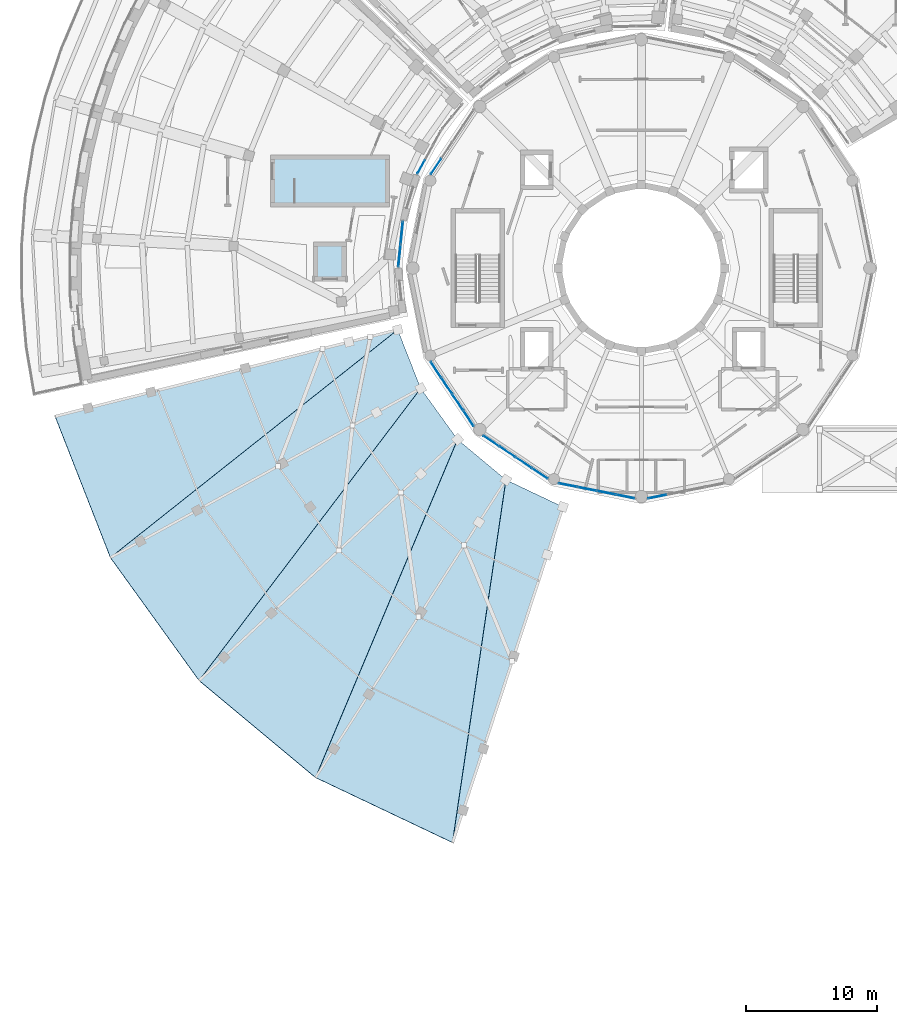
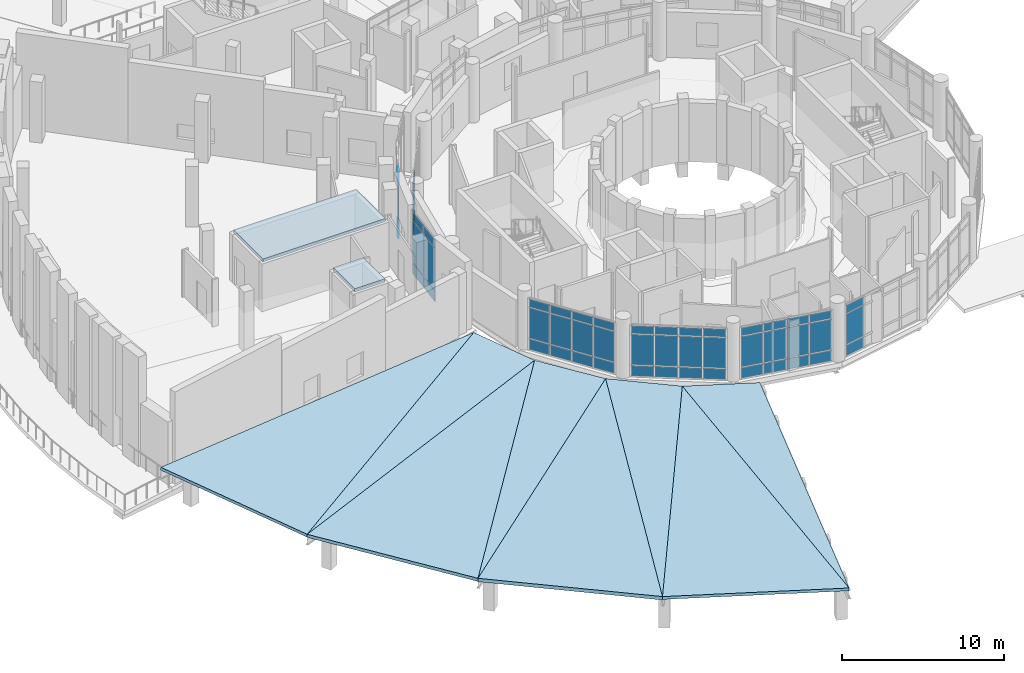
# One storey, part 36 of 75: 51 plates, 10 slabs, 7 elements without a shape of their own.
"""IFC4 building model written with IfcOpenShell, lengths in metres."""

from ifc_helpers import new_model, si_unit, direction, frame, origin, origin_2d, place, context, subcontext, project, spatial, polyline, rectangle, outline, extrude, material, layer, layer_set, type_object, element, aggregate, save


model = new_model("IFC4")

# Units and contexts
model_context = context("Model", 3, precision=1e-05, world=origin(), true_north=direction((0.0, 1.0)))
body_context = subcontext(model_context, "Body", "Model", "MODEL_VIEW")
ifc_project = project(units=[si_unit("LENGTHUNIT", "METRE"), si_unit("AREAUNIT", "SQUARE_METRE"), si_unit("VOLUMEUNIT", "CUBIC_METRE"), si_unit("PLANEANGLEUNIT", "RADIAN"), si_unit("MASSUNIT", "GRAM", prefix="KILO")], contexts=[model_context])

# Site, building, storey
site_placement = place(None, origin())
site = spatial("IfcSite", under=ifc_project, at=site_placement, CompositionType="ELEMENT")
building_placement = place(site_placement, origin())
building = spatial("IfcBuilding", under=site, at=building_placement, Name="Soyqirgoq Riverine Aquarium", CompositionType="ELEMENT")
storey_placement = place(building_placement, frame((0.0, 0.0, 10.199951171875)))
storey = spatial("IfcBuildingStorey", under=building, at=storey_placement, Name="L03", CompositionType="ELEMENT", Elevation=10.199951171875)

# Curtain wall, plates
ifc_material_1 = material(Name="Anodised aluminium thermally broken triple low-E glazing", Category="aluminium")
curtain_wall_type_1 = type_object("IfcCurtainWallType", Name="CW_DrumGallery_Unitised", PredefinedType="NOTDEFINED", material=ifc_material_1)
curtain_wall_1_placement = place(storey_placement, origin())
curtain_wall_1 = element("IfcCurtainWall", 1, at=curtain_wall_1_placement, inside=storey, type_object=curtain_wall_type_1, Name="V1 L03 Curtain Wall 025", PredefinedType="NOTDEFINED")
ifc_material_2 = material(Name="Triple insulated laminated low-E glass", Category="glass")
ifc_layer_1 = layer(ifc_material_2, 0.0458984375)
ifc_layer_set_1 = layer_set([ifc_layer_1], Name="Triple insulated laminated low-E glass")
plate_type_1 = type_object("IfcPlateType", Name="CWGlazedPanel_46", PredefinedType="CURTAIN_PANEL", material=ifc_layer_set_1)
plate_1_placement = place(storey_placement, frame((40.306884765625, 64.7607421875, 0.074951171875), z_axis=(0.0, 0.0, 1.0), x_axis=(-0.555571799605, -0.831468565541, 0.0)))
plate_1 = element("IfcPlate", 2, at=plate_1_placement, type_object=plate_type_1, Name="CW-01 panel 4.1", PredefinedType="CURTAIN_PANEL", context=body_context, shape_type="SweptSolid", body=[
    extrude(rectangle(XDim=1.404541015625, YDim=0.0458984375, at=origin_2d()), origin(), (0.0, 0.0, 1.0), 0.78759765625),
])
plate_2_placement = place(storey_placement, frame((40.306884765625, 64.7607421875, 0.9375), z_axis=(0.0, 0.0, 1.0), x_axis=(-0.555571799605, -0.831468565541, 0.0)))
plate_2 = element("IfcPlate", 3, at=plate_2_placement, type_object=plate_type_1, Name="CW-01 panel 4.2", PredefinedType="CURTAIN_PANEL", context=body_context, shape_type="SweptSolid", body=[
    extrude(rectangle(XDim=1.404541015625, YDim=0.0458984375, at=origin_2d()), origin(), (0.0, 0.0, 1.0), 2.27490234375),
])
plate_3_placement = place(storey_placement, frame((40.306884765625, 64.7607421875, 3.28759765625), z_axis=(0.0, 0.0, 1.0), x_axis=(-0.555571799605, -0.831468565541, 0.0)))
plate_3 = element("IfcPlate", 4, at=plate_3_placement, type_object=plate_type_1, Name="CW-01 panel 4.3", PredefinedType="CURTAIN_PANEL", context=body_context, shape_type="SweptSolid", body=[
    extrude(rectangle(XDim=1.404541015625, YDim=0.0458984375, at=origin_2d()), origin(), (0.0, 0.0, 1.0), 0.58740234375),
])
aggregate(curtain_wall_1, [plate_1, plate_2, plate_3])

curtain_wall_2_placement = place(storey_placement, origin())
curtain_wall_2 = element("IfcCurtainWall", 5, at=curtain_wall_2_placement, inside=storey, type_object=curtain_wall_type_1, Name="V1 L03 Curtain Wall 043", PredefinedType="NOTDEFINED")
plate_4_placement = place(storey_placement, frame((44.519775390625, 43.792236328125, 0.074951171875), z_axis=(0.0, 0.0, 1.0), x_axis=(0.831468565541, -0.555571799605, 0.0)))
plate_4 = element("IfcPlate", 6, at=plate_4_placement, type_object=plate_type_1, Name="CW-01 panel 1.1", PredefinedType="CURTAIN_PANEL", context=body_context, shape_type="SweptSolid", body=[
    extrude(rectangle(XDim=1.404541015625, YDim=0.0458984375, at=origin_2d()), origin(), (0.0, 0.0, 1.0), 0.78759765625),
])
plate_5_placement = place(storey_placement, frame((44.519775390625, 43.792236328125, 0.9375), z_axis=(0.0, 0.0, 1.0), x_axis=(0.831468565541, -0.555571799605, 0.0)))
plate_5 = element("IfcPlate", 7, at=plate_5_placement, type_object=plate_type_1, Name="CW-01 panel 1.2", PredefinedType="CURTAIN_PANEL", context=body_context, shape_type="SweptSolid", body=[
    extrude(rectangle(XDim=1.404541015625, YDim=0.0458984375, at=origin_2d()), origin(), (0.0, 0.0, 1.0), 2.27490234375),
])
plate_6_placement = place(storey_placement, frame((44.519775390625, 43.792236328125, 3.28759765625), z_axis=(0.0, 0.0, 1.0), x_axis=(0.831468565541, -0.555571799605, 0.0)))
plate_6 = element("IfcPlate", 8, at=plate_6_placement, type_object=plate_type_1, Name="CW-01 panel 1.3", PredefinedType="CURTAIN_PANEL", context=body_context, shape_type="SweptSolid", body=[
    extrude(rectangle(XDim=1.404541015625, YDim=0.0458984375, at=origin_2d()), origin(), (0.0, 0.0, 1.0), 0.58740234375),
])
plate_7_placement = place(storey_placement, frame((45.755126953125, 42.966796875, 0.074951171875), z_axis=(0.0, 0.0, 1.0), x_axis=(0.831468565541, -0.555571799605, 0.0)))
plate_7 = element("IfcPlate", 9, at=plate_7_placement, type_object=plate_type_1, Name="CW-01 panel 2.1", PredefinedType="CURTAIN_PANEL", context=body_context, shape_type="SweptSolid", body=[
    extrude(rectangle(XDim=1.43701171875, YDim=0.0458984375, at=origin_2d()), origin(), (0.0, 0.0, 1.0), 0.78759765625),
])
plate_8_placement = place(storey_placement, frame((45.755126953125, 42.966796875, 0.9375), z_axis=(0.0, 0.0, 1.0), x_axis=(0.831468565541, -0.555571799605, 0.0)))
plate_8 = element("IfcPlate", 10, at=plate_8_placement, type_object=plate_type_1, Name="CW-01 panel 2.2", PredefinedType="CURTAIN_PANEL", context=body_context, shape_type="SweptSolid", body=[
    extrude(rectangle(XDim=1.43701171875, YDim=0.0458984375, at=origin_2d()), origin(), (0.0, 0.0, 1.0), 2.27490234375),
])
plate_9_placement = place(storey_placement, frame((45.755126953125, 42.966796875, 3.28759765625), z_axis=(0.0, 0.0, 1.0), x_axis=(0.831468565541, -0.555571799605, 0.0)))
plate_9 = element("IfcPlate", 11, at=plate_9_placement, type_object=plate_type_1, Name="CW-01 panel 2.3", PredefinedType="CURTAIN_PANEL", context=body_context, shape_type="SweptSolid", body=[
    extrude(rectangle(XDim=1.43701171875, YDim=0.0458984375, at=origin_2d()), origin(), (0.0, 0.0, 1.0), 0.58740234375),
])
plate_10_placement = place(storey_placement, frame((47.00390625, 42.13232421875, 0.074951171875), z_axis=(0.0, 0.0, 1.0), x_axis=(0.831468565541, -0.555571799605, 0.0)))
plate_10 = element("IfcPlate", 12, at=plate_10_placement, type_object=plate_type_1, Name="CW-01 panel 3.1", PredefinedType="CURTAIN_PANEL", context=body_context, shape_type="SweptSolid", body=[
    extrude(rectangle(XDim=1.43701171875, YDim=0.0458984375, at=origin_2d()), origin(), (0.0, 0.0, 1.0), 0.78759765625),
])
plate_11_placement = place(storey_placement, frame((47.00390625, 42.13232421875, 0.9375), z_axis=(0.0, 0.0, 1.0), x_axis=(0.831468565541, -0.555571799605, 0.0)))
plate_11 = element("IfcPlate", 13, at=plate_11_placement, type_object=plate_type_1, Name="CW-01 panel 3.2", PredefinedType="CURTAIN_PANEL", context=body_context, shape_type="SweptSolid", body=[
    extrude(rectangle(XDim=1.43701171875, YDim=0.0458984375, at=origin_2d()), origin(), (0.0, 0.0, 1.0), 2.27490234375),
])
plate_12_placement = place(storey_placement, frame((47.00390625, 42.13232421875, 3.28759765625), z_axis=(0.0, 0.0, 1.0), x_axis=(0.831468565541, -0.555571799605, 0.0)))
plate_12 = element("IfcPlate", 14, at=plate_12_placement, type_object=plate_type_1, Name="CW-01 panel 3.3", PredefinedType="CURTAIN_PANEL", context=body_context, shape_type="SweptSolid", body=[
    extrude(rectangle(XDim=1.43701171875, YDim=0.0458984375, at=origin_2d()), origin(), (0.0, 0.0, 1.0), 0.58740234375),
])
plate_13_placement = place(storey_placement, frame((48.2392578125, 41.306884765625, 0.074951171875), z_axis=(0.0, 0.0, 1.0), x_axis=(0.831468565541, -0.555571799605, 0.0)))
plate_13 = element("IfcPlate", 15, at=plate_13_placement, type_object=plate_type_1, Name="CW-01 panel 4.1", PredefinedType="CURTAIN_PANEL", context=body_context, shape_type="SweptSolid", body=[
    extrude(rectangle(XDim=1.404541015625, YDim=0.0458984375, at=origin_2d()), origin(), (0.0, 0.0, 1.0), 0.78759765625),
])
plate_14_placement = place(storey_placement, frame((48.2392578125, 41.306884765625, 0.9375), z_axis=(0.0, 0.0, 1.0), x_axis=(0.831468565541, -0.555571799605, 0.0)))
plate_14 = element("IfcPlate", 16, at=plate_14_placement, type_object=plate_type_1, Name="CW-01 panel 4.2", PredefinedType="CURTAIN_PANEL", context=body_context, shape_type="SweptSolid", body=[
    extrude(rectangle(XDim=1.404541015625, YDim=0.0458984375, at=origin_2d()), origin(), (0.0, 0.0, 1.0), 2.27490234375),
])
plate_15_placement = place(storey_placement, frame((48.2392578125, 41.306884765625, 3.28759765625), z_axis=(0.0, 0.0, 1.0), x_axis=(0.831468565541, -0.555571799605, 0.0)))
plate_15 = element("IfcPlate", 17, at=plate_15_placement, type_object=plate_type_1, Name="CW-01 panel 4.3", PredefinedType="CURTAIN_PANEL", context=body_context, shape_type="SweptSolid", body=[
    extrude(rectangle(XDim=1.404541015625, YDim=0.0458984375, at=origin_2d()), origin(), (0.0, 0.0, 1.0), 0.58740234375),
])
aggregate(curtain_wall_2, [plate_4, plate_5, plate_6, plate_7, plate_8, plate_9, plate_10, plate_11, plate_12, plate_13, plate_14, plate_15])

curtain_wall_3_placement = place(storey_placement, origin())
curtain_wall_3 = element("IfcCurtainWall", 18, at=curtain_wall_3_placement, inside=storey, type_object=curtain_wall_type_1, Name="V1 L03 Curtain Wall 050", PredefinedType="NOTDEFINED")
plate_16_placement = place(storey_placement, frame((50.390869140625, 40.415771484375, 0.074951171875), z_axis=(0.0, 0.0, 1.0), x_axis=(0.980784364221, -0.195094927919, 0.0)))
plate_16 = element("IfcPlate", 19, at=plate_16_placement, type_object=plate_type_1, Name="CW-01 panel 1.1", PredefinedType="CURTAIN_PANEL", context=body_context, shape_type="SweptSolid", body=[
    extrude(rectangle(XDim=1.404541015625, YDim=0.0458984375, at=origin_2d()), origin(), (0.0, 0.0, 1.0), 0.78759765625),
])
plate_17_placement = place(storey_placement, frame((50.390869140625, 40.415771484375, 0.9375), z_axis=(0.0, 0.0, 1.0), x_axis=(0.980784364221, -0.195094927919, 0.0)))
plate_17 = element("IfcPlate", 20, at=plate_17_placement, type_object=plate_type_1, Name="CW-01 panel 1.2", PredefinedType="CURTAIN_PANEL", context=body_context, shape_type="SweptSolid", body=[
    extrude(rectangle(XDim=1.404541015625, YDim=0.0458984375, at=origin_2d()), origin(), (0.0, 0.0, 1.0), 2.27490234375),
])
plate_18_placement = place(storey_placement, frame((50.390869140625, 40.415771484375, 3.28759765625), z_axis=(0.0, 0.0, 1.0), x_axis=(0.980784364221, -0.195094927919, 0.0)))
plate_18 = element("IfcPlate", 21, at=plate_18_placement, type_object=plate_type_1, Name="CW-01 panel 1.3", PredefinedType="CURTAIN_PANEL", context=body_context, shape_type="SweptSolid", body=[
    extrude(rectangle(XDim=1.404541015625, YDim=0.0458984375, at=origin_2d()), origin(), (0.0, 0.0, 1.0), 0.58740234375),
])
plate_19_placement = place(storey_placement, frame((51.84814453125, 40.1259765625, 0.074951171875), z_axis=(0.0, 0.0, 1.0), x_axis=(0.980784364221, -0.195094927919, 0.0)))
plate_19 = element("IfcPlate", 22, at=plate_19_placement, type_object=plate_type_1, Name="CW-01 panel 2.1", PredefinedType="CURTAIN_PANEL", context=body_context, shape_type="SweptSolid", body=[
    extrude(rectangle(XDim=1.43701171875, YDim=0.0458984375, at=origin_2d()), origin(), (0.0, 0.0, 1.0), 0.78759765625),
])
plate_20_placement = place(storey_placement, frame((51.84814453125, 40.1259765625, 0.9375), z_axis=(0.0, 0.0, 1.0), x_axis=(0.980784364221, -0.195094927919, 0.0)))
plate_20 = element("IfcPlate", 23, at=plate_20_placement, type_object=plate_type_1, Name="CW-01 panel 2.2", PredefinedType="CURTAIN_PANEL", context=body_context, shape_type="SweptSolid", body=[
    extrude(rectangle(XDim=1.43701171875, YDim=0.0458984375, at=origin_2d()), origin(), (0.0, 0.0, 1.0), 2.27490234375),
])
plate_21_placement = place(storey_placement, frame((51.84814453125, 40.1259765625, 3.28759765625), z_axis=(0.0, 0.0, 1.0), x_axis=(0.980784364221, -0.195094927919, 0.0)))
plate_21 = element("IfcPlate", 24, at=plate_21_placement, type_object=plate_type_1, Name="CW-01 panel 2.3", PredefinedType="CURTAIN_PANEL", context=body_context, shape_type="SweptSolid", body=[
    extrude(rectangle(XDim=1.43701171875, YDim=0.0458984375, at=origin_2d()), origin(), (0.0, 0.0, 1.0), 0.58740234375),
])
plate_22_placement = place(storey_placement, frame((53.3212890625, 39.832763671875, 0.074951171875), z_axis=(0.0, 0.0, 1.0), x_axis=(0.980784364221, -0.195094927919, 0.0)))
plate_22 = element("IfcPlate", 25, at=plate_22_placement, type_object=plate_type_1, Name="CW-01 panel 3.1", PredefinedType="CURTAIN_PANEL", context=body_context, shape_type="SweptSolid", body=[
    extrude(rectangle(XDim=1.43701171875, YDim=0.0458984375, at=origin_2d()), origin(), (0.0, 0.0, 1.0), 0.78759765625),
])
plate_23_placement = place(storey_placement, frame((53.3212890625, 39.832763671875, 0.9375), z_axis=(0.0, 0.0, 1.0), x_axis=(0.980784364221, -0.195094927919, 0.0)))
plate_23 = element("IfcPlate", 26, at=plate_23_placement, type_object=plate_type_1, Name="CW-01 panel 3.2", PredefinedType="CURTAIN_PANEL", context=body_context, shape_type="SweptSolid", body=[
    extrude(rectangle(XDim=1.43701171875, YDim=0.0458984375, at=origin_2d()), origin(), (0.0, 0.0, 1.0), 2.27490234375),
])
plate_24_placement = place(storey_placement, frame((53.3212890625, 39.832763671875, 3.28759765625), z_axis=(0.0, 0.0, 1.0), x_axis=(0.980784364221, -0.195094927919, 0.0)))
plate_24 = element("IfcPlate", 27, at=plate_24_placement, type_object=plate_type_1, Name="CW-01 panel 3.3", PredefinedType="CURTAIN_PANEL", context=body_context, shape_type="SweptSolid", body=[
    extrude(rectangle(XDim=1.43701171875, YDim=0.0458984375, at=origin_2d()), origin(), (0.0, 0.0, 1.0), 0.58740234375),
])
plate_25_placement = place(storey_placement, frame((54.7783203125, 39.54296875, 0.074951171875), z_axis=(0.0, 0.0, 1.0), x_axis=(0.980784364221, -0.195094927919, 0.0)))
plate_25 = element("IfcPlate", 28, at=plate_25_placement, type_object=plate_type_1, Name="CW-01 panel 4.1", PredefinedType="CURTAIN_PANEL", context=body_context, shape_type="SweptSolid", body=[
    extrude(rectangle(XDim=1.404541015625, YDim=0.0458984375, at=origin_2d()), origin(), (0.0, 0.0, 1.0), 0.78759765625),
])
plate_26_placement = place(storey_placement, frame((54.7783203125, 39.54296875, 0.9375), z_axis=(0.0, 0.0, 1.0), x_axis=(0.980784364221, -0.195094927919, 0.0)))
plate_26 = element("IfcPlate", 29, at=plate_26_placement, type_object=plate_type_1, Name="CW-01 panel 4.2", PredefinedType="CURTAIN_PANEL", context=body_context, shape_type="SweptSolid", body=[
    extrude(rectangle(XDim=1.404541015625, YDim=0.0458984375, at=origin_2d()), origin(), (0.0, 0.0, 1.0), 2.27490234375),
])
plate_27_placement = place(storey_placement, frame((54.7783203125, 39.54296875, 3.28759765625), z_axis=(0.0, 0.0, 1.0), x_axis=(0.980784364221, -0.195094927919, 0.0)))
plate_27 = element("IfcPlate", 30, at=plate_27_placement, type_object=plate_type_1, Name="CW-01 panel 4.3", PredefinedType="CURTAIN_PANEL", context=body_context, shape_type="SweptSolid", body=[
    extrude(rectangle(XDim=1.404541015625, YDim=0.0458984375, at=origin_2d()), origin(), (0.0, 0.0, 1.0), 0.58740234375),
])
aggregate(curtain_wall_3, [plate_16, plate_17, plate_18, plate_19, plate_20, plate_21, plate_22, plate_23, plate_24, plate_25, plate_26, plate_27])

curtain_wall_4_placement = place(storey_placement, origin())
curtain_wall_4 = element("IfcCurtainWall", 31, at=curtain_wall_4_placement, inside=storey, type_object=curtain_wall_type_1, Name="V1 L03 Curtain Wall 057", PredefinedType="NOTDEFINED")
plate_28_placement = place(storey_placement, frame((57.2216796875, 39.54296875, 0.074951171875), z_axis=(0.0, 0.0, 1.0), x_axis=(0.980784364221, 0.195094927919, 0.0)))
plate_28 = element("IfcPlate", 32, at=plate_28_placement, type_object=plate_type_1, Name="CW-01 panel 1.1", PredefinedType="CURTAIN_PANEL", context=body_context, shape_type="SweptSolid", body=[
    extrude(rectangle(XDim=1.404541015625, YDim=0.0458984375, at=origin_2d()), origin(), (0.0, 0.0, 1.0), 0.78759765625),
])
plate_29_placement = place(storey_placement, frame((57.2216796875, 39.54296875, 0.9375), z_axis=(0.0, 0.0, 1.0), x_axis=(0.980784364221, 0.195094927919, 0.0)))
plate_29 = element("IfcPlate", 33, at=plate_29_placement, type_object=plate_type_1, Name="CW-01 panel 1.2", PredefinedType="CURTAIN_PANEL", context=body_context, shape_type="SweptSolid", body=[
    extrude(rectangle(XDim=1.404541015625, YDim=0.0458984375, at=origin_2d()), origin(), (0.0, 0.0, 1.0), 2.27490234375),
])
plate_30_placement = place(storey_placement, frame((57.2216796875, 39.54296875, 3.28759765625), z_axis=(0.0, 0.0, 1.0), x_axis=(0.980784364221, 0.195094927919, 0.0)))
plate_30 = element("IfcPlate", 34, at=plate_30_placement, type_object=plate_type_1, Name="CW-01 panel 1.3", PredefinedType="CURTAIN_PANEL", context=body_context, shape_type="SweptSolid", body=[
    extrude(rectangle(XDim=1.404541015625, YDim=0.0458984375, at=origin_2d()), origin(), (0.0, 0.0, 1.0), 0.58740234375),
])
aggregate(curtain_wall_4, [plate_28, plate_29, plate_30])

ifc_material_3 = material(Name="Anodised aluminium thermally broken double low-E glazing", Category="aluminium")
curtain_wall_type_2 = type_object("IfcCurtainWallType", Name="CW_Wedge_NorthBay", PredefinedType="NOTDEFINED", material=ifc_material_3)
curtain_wall_5_placement = place(storey_placement, origin())
curtain_wall_5 = element("IfcCurtainWall", 35, at=curtain_wall_5_placement, inside=storey, type_object=curtain_wall_type_2, Name="V3 L03 Curtain Wall 085", PredefinedType="NOTDEFINED")
plate_31_placement = place(storey_placement, frame((39.17138671875, 64.72705078125, 0.074951171875), z_axis=(0.0, 0.0, 1.0), x_axis=(-0.480834540141, -0.876811350866, 0.0)))
plate_31 = element("IfcPlate", 36, at=plate_31_placement, type_object=plate_type_1, Name="CW-03 panel 3.1", PredefinedType="CURTAIN_PANEL", context=body_context, shape_type="SweptSolid", body=[
    extrude(rectangle(XDim=1.165771484375, YDim=0.0458984375, at=origin_2d()), origin(), (0.0, 0.0, 1.0), 0.78759765625),
])
plate_32_placement = place(storey_placement, frame((39.17138671875, 64.72705078125, 0.9375), z_axis=(0.0, 0.0, 1.0), x_axis=(-0.480834540141, -0.876811350866, 0.0)))
plate_32 = element("IfcPlate", 37, at=plate_32_placement, type_object=plate_type_1, Name="CW-03 panel 3.2", PredefinedType="CURTAIN_PANEL", context=body_context, shape_type="SweptSolid", body=[
    extrude(rectangle(XDim=1.165771484375, YDim=0.0458984375, at=origin_2d()), origin(), (0.0, 0.0, 1.0), 3.135009765625),
])
plate_33_placement = place(storey_placement, frame((39.17138671875, 64.72705078125, 4.147705078125), z_axis=(0.0, 0.0, 1.0), x_axis=(-0.480834540141, -0.876811350866, 0.0)))
plate_33 = element("IfcPlate", 38, at=plate_33_placement, type_object=plate_type_1, Name="CW-03 panel 3.3", PredefinedType="CURTAIN_PANEL", context=body_context, shape_type="SweptSolid", body=[
    extrude(rectangle(XDim=1.165771484375, YDim=0.0458984375, at=origin_2d()), origin(), (0.0, 0.0, 1.0), 0.58740234375),
])
aggregate(curtain_wall_5, [plate_31, plate_32, plate_33])

curtain_wall_6_placement = place(storey_placement, origin())
curtain_wall_6 = element("IfcCurtainWall", 39, at=curtain_wall_6_placement, inside=storey, type_object=curtain_wall_type_2, Name="V3 L03 Curtain Wall 086", PredefinedType="NOTDEFINED")
plate_34_placement = place(storey_placement, frame((37.694580078125, 59.697021484375, 0.074951171875), z_axis=(0.0, 0.0, 1.0), x_axis=(-0.101685918413, -0.994816552937, 0.0)))
plate_34 = element("IfcPlate", 40, at=plate_34_placement, type_object=plate_type_1, Name="CW-03 panel 1.1", PredefinedType="CURTAIN_PANEL", context=body_context, shape_type="SweptSolid", body=[
    extrude(rectangle(XDim=1.67431640625, YDim=0.0458984375, at=origin_2d()), origin(), (0.0, 0.0, 1.0), 0.78759765625),
])
plate_35_placement = place(storey_placement, frame((37.694580078125, 59.697021484375, 0.9375), z_axis=(0.0, 0.0, 1.0), x_axis=(-0.101685918413, -0.994816552937, 0.0)))
plate_35 = element("IfcPlate", 41, at=plate_35_placement, type_object=plate_type_1, Name="CW-03 panel 1.2", PredefinedType="CURTAIN_PANEL", context=body_context, shape_type="SweptSolid", body=[
    extrude(rectangle(XDim=1.67431640625, YDim=0.0458984375, at=origin_2d()), origin(), (0.0, 0.0, 1.0), 3.135009765625),
])
plate_36_placement = place(storey_placement, frame((37.694580078125, 59.697021484375, 4.147705078125), z_axis=(0.0, 0.0, 1.0), x_axis=(-0.101685918413, -0.994816552937, 0.0)))
plate_36 = element("IfcPlate", 42, at=plate_36_placement, type_object=plate_type_1, Name="CW-03 panel 1.3", PredefinedType="CURTAIN_PANEL", context=body_context, shape_type="SweptSolid", body=[
    extrude(rectangle(XDim=1.67431640625, YDim=0.0458984375, at=origin_2d()), origin(), (0.0, 0.0, 1.0), 0.58740234375),
])
plate_37_placement = place(storey_placement, frame((37.51611328125, 57.951904296875, 0.074951171875), z_axis=(0.0, 0.0, 1.0), x_axis=(-0.101685918413, -0.994816552937, 0.0)))
plate_37 = element("IfcPlate", 43, at=plate_37_placement, type_object=plate_type_1, Name="CW-03 panel 2.1", PredefinedType="CURTAIN_PANEL", context=body_context, shape_type="SweptSolid", body=[
    extrude(rectangle(XDim=1.67431640625, YDim=0.0458984375, at=origin_2d()), origin(), (0.0, 0.0, 1.0), 0.78759765625),
])
plate_38_placement = place(storey_placement, frame((37.51611328125, 57.951904296875, 0.9375), z_axis=(0.0, 0.0, 1.0), x_axis=(-0.101685918413, -0.994816552937, 0.0)))
plate_38 = element("IfcPlate", 44, at=plate_38_placement, type_object=plate_type_1, Name="CW-03 panel 2.2", PredefinedType="CURTAIN_PANEL", context=body_context, shape_type="SweptSolid", body=[
    extrude(rectangle(XDim=1.67431640625, YDim=0.0458984375, at=origin_2d()), origin(), (0.0, 0.0, 1.0), 3.135009765625),
])
plate_39_placement = place(storey_placement, frame((37.51611328125, 57.951904296875, 4.147705078125), z_axis=(0.0, 0.0, 1.0), x_axis=(-0.101685918413, -0.994816552937, 0.0)))
plate_39 = element("IfcPlate", 45, at=plate_39_placement, type_object=plate_type_1, Name="CW-03 panel 2.3", PredefinedType="CURTAIN_PANEL", context=body_context, shape_type="SweptSolid", body=[
    extrude(rectangle(XDim=1.67431640625, YDim=0.0458984375, at=origin_2d()), origin(), (0.0, 0.0, 1.0), 0.58740234375),
])
aggregate(curtain_wall_6, [plate_34, plate_35, plate_36, plate_37, plate_38, plate_39])

curtain_wall_7_placement = place(storey_placement, origin())
curtain_wall_7 = element("IfcCurtainWall", 46, at=curtain_wall_7_placement, inside=storey, type_object=curtain_wall_type_1, Name="V1 L03 Curtain Wall 036", PredefinedType="NOTDEFINED")
ifc_material_4 = material(Name="Insulated shadow-box aluminium spandrel panel", Category="aluminium")
ifc_layer_2 = layer(ifc_material_4, 0.06005859375)
ifc_layer_set_2 = layer_set([ifc_layer_2], Name="Insulated shadow-box aluminium spandrel panel")
plate_type_2 = type_object("IfcPlateType", Name="CWSpandrelPanel_60", PredefinedType="CURTAIN_PANEL", material=ifc_layer_set_2)
plate_40_placement = place(storey_placement, frame((40.306884765625, 49.2392578125, 0.074951171875), z_axis=(0.0, 0.0, 1.0), x_axis=(0.555571799605, -0.831468565541, 0.0)))
plate_40 = element("IfcPlate", 47, at=plate_40_placement, type_object=plate_type_2, Name="CW-01 panel 1.1", PredefinedType="CURTAIN_PANEL", context=body_context, shape_type="SweptSolid", body=[
    extrude(rectangle(XDim=1.404541015625, YDim=0.06005859375, at=origin_2d()), origin(), (0.0, 0.0, 1.0), 0.78759765625),
])
plate_41_placement = place(storey_placement, frame((40.306884765625, 49.2392578125, 0.9375), z_axis=(0.0, 0.0, 1.0), x_axis=(0.555571799605, -0.831468565541, 0.0)))
plate_41 = element("IfcPlate", 48, at=plate_41_placement, type_object=plate_type_2, Name="CW-01 panel 1.2", PredefinedType="CURTAIN_PANEL", context=body_context, shape_type="SweptSolid", body=[
    extrude(rectangle(XDim=1.404541015625, YDim=0.06005859375, at=origin_2d()), origin(), (0.0, 0.0, 1.0), 2.27490234375),
])
plate_42_placement = place(storey_placement, frame((40.306884765625, 49.2392578125, 3.28759765625), z_axis=(0.0, 0.0, 1.0), x_axis=(0.555571799605, -0.831468565541, 0.0)))
plate_42 = element("IfcPlate", 49, at=plate_42_placement, type_object=plate_type_2, Name="CW-01 panel 1.3", PredefinedType="CURTAIN_PANEL", context=body_context, shape_type="SweptSolid", body=[
    extrude(rectangle(XDim=1.404541015625, YDim=0.06005859375, at=origin_2d()), origin(), (0.0, 0.0, 1.0), 0.58740234375),
])
plate_43_placement = place(storey_placement, frame((41.13232421875, 48.00390625, 0.074951171875), z_axis=(0.0, 0.0, 1.0), x_axis=(0.555571799605, -0.831468565541, 0.0)))
plate_43 = element("IfcPlate", 50, at=plate_43_placement, type_object=plate_type_2, Name="CW-01 panel 2.1", PredefinedType="CURTAIN_PANEL", context=body_context, shape_type="SweptSolid", body=[
    extrude(rectangle(XDim=1.43701171875, YDim=0.06005859375, at=origin_2d()), origin(), (0.0, 0.0, 1.0), 0.78759765625),
])
plate_44_placement = place(storey_placement, frame((41.13232421875, 48.00390625, 0.9375), z_axis=(0.0, 0.0, 1.0), x_axis=(0.555571799605, -0.831468565541, 0.0)))
plate_44 = element("IfcPlate", 51, at=plate_44_placement, type_object=plate_type_2, Name="CW-01 panel 2.2", PredefinedType="CURTAIN_PANEL", context=body_context, shape_type="SweptSolid", body=[
    extrude(rectangle(XDim=1.43701171875, YDim=0.06005859375, at=origin_2d()), origin(), (0.0, 0.0, 1.0), 2.27490234375),
])
plate_45_placement = place(storey_placement, frame((41.13232421875, 48.00390625, 3.28759765625), z_axis=(0.0, 0.0, 1.0), x_axis=(0.555571799605, -0.831468565541, 0.0)))
plate_45 = element("IfcPlate", 52, at=plate_45_placement, type_object=plate_type_2, Name="CW-01 panel 2.3", PredefinedType="CURTAIN_PANEL", context=body_context, shape_type="SweptSolid", body=[
    extrude(rectangle(XDim=1.43701171875, YDim=0.06005859375, at=origin_2d()), origin(), (0.0, 0.0, 1.0), 0.58740234375),
])
plate_46_placement = place(storey_placement, frame((41.966796875, 46.755126953125, 0.074951171875), z_axis=(0.0, 0.0, 1.0), x_axis=(0.555571799605, -0.831468565541, 0.0)))
plate_46 = element("IfcPlate", 53, at=plate_46_placement, type_object=plate_type_2, Name="CW-01 panel 3.1", PredefinedType="CURTAIN_PANEL", context=body_context, shape_type="SweptSolid", body=[
    extrude(rectangle(XDim=1.43701171875, YDim=0.06005859375, at=origin_2d()), origin(), (0.0, 0.0, 1.0), 0.78759765625),
])
plate_47_placement = place(storey_placement, frame((41.966796875, 46.755126953125, 0.9375), z_axis=(0.0, 0.0, 1.0), x_axis=(0.555571799605, -0.831468565541, 0.0)))
plate_47 = element("IfcPlate", 54, at=plate_47_placement, type_object=plate_type_2, Name="CW-01 panel 3.2", PredefinedType="CURTAIN_PANEL", context=body_context, shape_type="SweptSolid", body=[
    extrude(rectangle(XDim=1.43701171875, YDim=0.06005859375, at=origin_2d()), origin(), (0.0, 0.0, 1.0), 2.27490234375),
])
plate_48_placement = place(storey_placement, frame((41.966796875, 46.755126953125, 3.28759765625), z_axis=(0.0, 0.0, 1.0), x_axis=(0.555571799605, -0.831468565541, 0.0)))
plate_48 = element("IfcPlate", 55, at=plate_48_placement, type_object=plate_type_2, Name="CW-01 panel 3.3", PredefinedType="CURTAIN_PANEL", context=body_context, shape_type="SweptSolid", body=[
    extrude(rectangle(XDim=1.43701171875, YDim=0.06005859375, at=origin_2d()), origin(), (0.0, 0.0, 1.0), 0.58740234375),
])
plate_49_placement = place(storey_placement, frame((42.792236328125, 45.519775390625, 0.074951171875), z_axis=(0.0, 0.0, 1.0), x_axis=(0.555571799605, -0.831468565541, 0.0)))
plate_49 = element("IfcPlate", 56, at=plate_49_placement, type_object=plate_type_2, Name="CW-01 panel 4.1", PredefinedType="CURTAIN_PANEL", context=body_context, shape_type="SweptSolid", body=[
    extrude(rectangle(XDim=1.404541015625, YDim=0.06005859375, at=origin_2d()), origin(), (0.0, 0.0, 1.0), 0.78759765625),
])
plate_50_placement = place(storey_placement, frame((42.792236328125, 45.519775390625, 0.9375), z_axis=(0.0, 0.0, 1.0), x_axis=(0.555571799605, -0.831468565541, 0.0)))
plate_50 = element("IfcPlate", 57, at=plate_50_placement, type_object=plate_type_2, Name="CW-01 panel 4.2", PredefinedType="CURTAIN_PANEL", context=body_context, shape_type="SweptSolid", body=[
    extrude(rectangle(XDim=1.404541015625, YDim=0.06005859375, at=origin_2d()), origin(), (0.0, 0.0, 1.0), 2.27490234375),
])
plate_51_placement = place(storey_placement, frame((42.792236328125, 45.519775390625, 3.28759765625), z_axis=(0.0, 0.0, 1.0), x_axis=(0.555571799605, -0.831468565541, 0.0)))
plate_51 = element("IfcPlate", 58, at=plate_51_placement, type_object=plate_type_2, Name="CW-01 panel 4.3", PredefinedType="CURTAIN_PANEL", context=body_context, shape_type="SweptSolid", body=[
    extrude(rectangle(XDim=1.404541015625, YDim=0.06005859375, at=origin_2d()), origin(), (0.0, 0.0, 1.0), 0.58740234375),
])
aggregate(curtain_wall_7, [plate_40, plate_41, plate_42, plate_43, plate_44, plate_45, plate_46, plate_47, plate_48, plate_49, plate_50, plate_51])

# Slabs
ifc_material_5 = material(Name="Concrete C35/45", Category="concrete")
ifc_layer_3 = layer(ifc_material_5, 0.25)
ifc_layer_set_3 = layer_set([ifc_layer_3], Name="Concrete C35/45")
slab_type_1 = type_object("IfcSlabType", Name="FloorSlab_250_C35", PredefinedType="FLOOR", material=ifc_layer_set_3)
slab_1_placement = place(storey_placement, frame((0.0, 0.0, 3.60009765625)))
element("IfcSlab", 59, at=slab_1_placement, inside=storey, type_object=slab_type_1, Name="Lift PL-2 Shaft Overrun Cap Slab", PredefinedType="FLOOR", context=body_context, shape_type="SweptSolid", body=[
    extrude(outline(polyline([(31.1201171875, 56.169921875), (33.280029296875, 56.169921875), (33.280029296875, 58.830078125), (31.1201171875, 58.830078125), (31.1201171875, 56.169921875)])), origin(), (0.0, 0.0, 1.0), 0.25),
])
ifc_material_6 = material(Name="Concrete C35/45", Category="concrete")
ifc_layer_4 = layer(ifc_material_6, 0.199951171875)
ifc_layer_set_4 = layer_set([ifc_layer_4], Name="Concrete C35/45")
slab_type_2 = type_object("IfcSlabType", Name="PrairieRoof_200_C35", PredefinedType="ROOF", material=ifc_layer_set_4)
slab_2_placement = place(storey_placement, frame((37.38671875, 52.2900390625, 0.719970703125), z_axis=(0.10362532069, 0.040608718078, 0.993787062166), x_axis=(-0.963516101871, -0.243806519057, 0.110431438909)))
element("IfcSlab", 60, at=slab_2_placement, inside=storey, type_object=slab_type_2, Name="V2 Sloped Prairie Roof Panel 01A", PredefinedType="ROOF", context=body_context, shape_type="SweptSolid", body=[
    extrude(outline(polyline([(0.0, 0.0), (27.16617685712119, -1.3877787807814457e-16), (25.723769125809916, 11.490403947736256), (0.0, 0.0)])), origin(), (0.0, 0.0, -1.0), 0.199951171875),
])
slab_3_placement = place(storey_placement, frame((37.38671875, 52.2900390625, 0.719970703125), z_axis=(0.103627258343, 0.040606257056, 0.993786960679), x_axis=(-0.779092699299, -0.61779921041, 0.106483339143)))
element("IfcSlab", 61, at=slab_3_placement, inside=storey, type_object=slab_type_2, Name="V2 Sloped Prairie Roof Panel 01B", PredefinedType="ROOF", context=body_context, shape_type="SweptSolid", body=[
    extrude(outline(polyline([(0.0, 0.0), (28.173421533781163, 2.609024107869118e-15), (1.4003544957297913, 4.604457117508379), (0.0, 0.0)])), origin(), (0.0, 0.0, -1.0), 0.199951171875),
])
slab_4_placement = place(storey_placement, frame((45.655517578125, 40.824951171875, 0.719970703125), z_axis=(0.047739373204, 0.100539880194, 0.993787041944), x_axis=(-0.535468752244, -0.837304066224, 0.11043149938)))
element("IfcSlab", 62, at=slab_4_placement, inside=storey, type_object=slab_type_2, Name="V2 Sloped Prairie Roof Panel 04A", PredefinedType="ROOF", context=body_context, shape_type="SweptSolid", body=[
    extrude(outline(polyline([(0.0, 0.0), (27.166161981284798, 1.0408340855860843e-16), (25.723654160603648, 11.490405316128967), (0.0, 0.0)])), origin(), (0.0, 0.0, -1.0), 0.199951171875),
])
slab_5_placement = place(storey_placement, frame((45.655517578125, 40.824951171875, 0.719970703125), z_axis=(0.047740550539, 0.100539702459, 0.993787003368), x_axis=(-0.14501129565, -0.9836833528, 0.106483733773)))
element("IfcSlab", 63, at=slab_5_placement, inside=storey, type_object=slab_type_2, Name="V2 Sloped Prairie Roof Panel 04B", PredefinedType="ROOF", context=body_context, shape_type="SweptSolid", body=[
    extrude(outline(polyline([(0.0, 0.0), (28.173317122825036, -4.163336342344337e-16), (1.4003089058432159, 4.604695054148809), (0.0, 0.0)])), origin(), (0.0, 0.0, -1.0), 0.199951171875),
])
ifc_material_7 = material(Name="Concrete C35/45", Category="concrete")
ifc_layer_5 = layer(ifc_material_7, 0.219970703125)
ifc_layer_set_5 = layer_set([ifc_layer_5], Name="Concrete C35/45")
slab_type_3 = type_object("IfcSlabType", Name="PrairieRoof_220_C35", PredefinedType="ROOF", material=ifc_layer_set_5)
slab_6_placement = place(storey_placement, frame((39.142578125, 47.80908203125, 0.719970703125), z_axis=(0.090269904158, 0.065105640334, 0.993786999311), x_axis=(-0.872615055527, -0.475760246602, 0.11043166494)))
element("IfcSlab", 64, at=slab_6_placement, inside=storey, type_object=slab_type_3, Name="V2 Sloped Prairie Roof Panel 02A", PredefinedType="ROOF", context=body_context, shape_type="SweptSolid", body=[
    extrude(outline(polyline([(0.0, 0.0), (27.166121253704336, 5.412337245047638e-16), (25.723396987774127, 11.490706797073651), (0.0, 0.0)])), origin(), (0.0, 0.0, -1.0), 0.219970703125),
])
slab_7_placement = place(storey_placement, frame((39.142578125, 47.80908203125, 0.719970703125), z_axis=(0.090269127246, 0.065106233998, 0.993787030988), x_axis=(-0.600966492112, -0.792149228219, 0.106484156526)))
element("IfcSlab", 65, at=slab_7_placement, inside=storey, type_object=slab_type_3, Name="V2 Sloped Prairie Roof Panel 02B", PredefinedType="ROOF", context=body_context, shape_type="SweptSolid", body=[
    extrude(outline(polyline([(0.0, 0.0), (28.17320527179933, 6.38378239159465e-16), (1.4002266657591218, 4.604761128381637), (0.0, 0.0)])), origin(), (0.0, 0.0, -1.0), 0.219970703125),
])
slab_8_placement = place(storey_placement, frame((0.0, 0.0, 3.60009765625)))
element("IfcSlab", 66, at=slab_8_placement, inside=storey, type_object=slab_type_3, Name="CORE-3 L03 Stairwell Overrun Roof Slab", PredefinedType="ROOF", context=body_context, shape_type="SweptSolid", body=[
    extrude(outline(polyline([(27.824951171875, 61.824951171875), (36.574951171875, 61.824951171875), (36.574951171875, 65.47509765625), (27.824951171875, 65.47509765625), (27.824951171875, 61.824951171875)])), origin(), (0.0, 0.0, 1.0), 0.219970703125),
])
ifc_material_8 = material(Name="Concrete C35/45", Category="concrete")
ifc_layer_6 = layer(ifc_material_8, 0.239990234375)
ifc_layer_set_6 = layer_set([ifc_layer_6], Name="Concrete C35/45")
slab_type_4 = type_object("IfcSlabType", Name="PrairieRoof_240_C35", PredefinedType="ROOF", material=ifc_layer_set_6)
slab_9_placement = place(storey_placement, frame((41.9580078125, 43.905517578125, 0.719970703125), z_axis=(0.07124341512, 0.085508991589, 0.993786993354), x_axis=(-0.726883596693, -0.677823761942, 0.11043180975)))
element("IfcSlab", 67, at=slab_9_placement, inside=storey, type_object=slab_type_4, Name="V2 Sloped Prairie Roof Panel 03A", PredefinedType="ROOF", context=body_context, shape_type="SweptSolid", body=[
    extrude(outline(polyline([(0.0, 0.0), (27.16608563059723, 1.6375789613221059e-15), (25.723433020664977, 11.490753138857102), (0.0, 0.0)])), origin(), (0.0, 0.0, -1.0), 0.239990234375),
])
slab_10_placement = place(storey_placement, frame((41.9580078125, 43.905517578125, 0.719970703125), z_axis=(0.071241997055, 0.085509593073, 0.993787043258), x_axis=(-0.385085794868, -0.916717021057, 0.10648396074)))
element("IfcSlab", 68, at=slab_10_placement, inside=storey, type_object=slab_type_4, Name="V2 Sloped Prairie Roof Panel 03B", PredefinedType="ROOF", context=body_context, shape_type="SweptSolid", body=[
    extrude(outline(polyline([(0.0, 0.0), (28.17325707238678, 2.2343238370581275e-15), (1.400149171977021, 4.604459810490298), (0.0, 0.0)])), origin(), (0.0, 0.0, -1.0), 0.239990234375),
])

save(model, "model.ifc")
